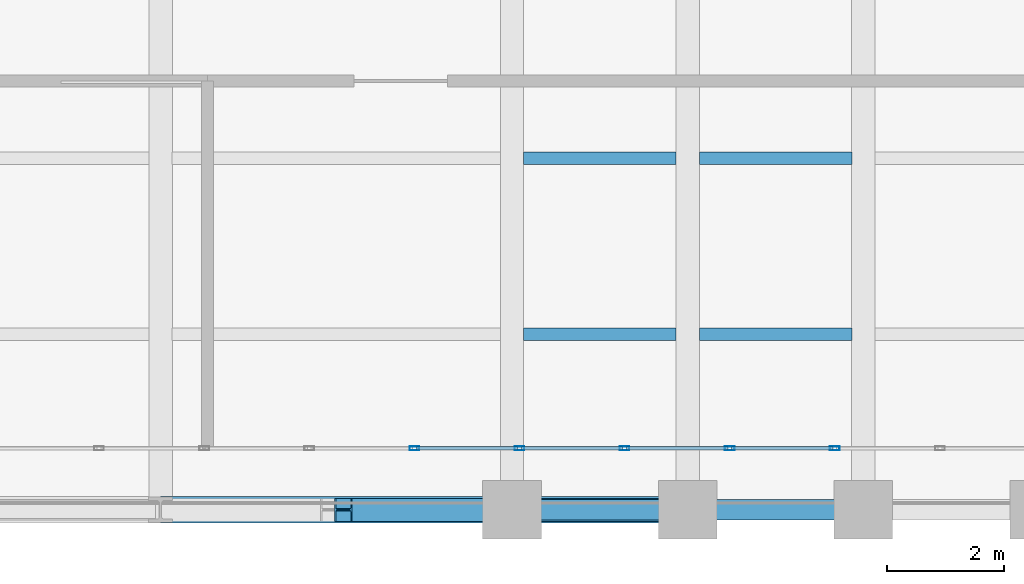
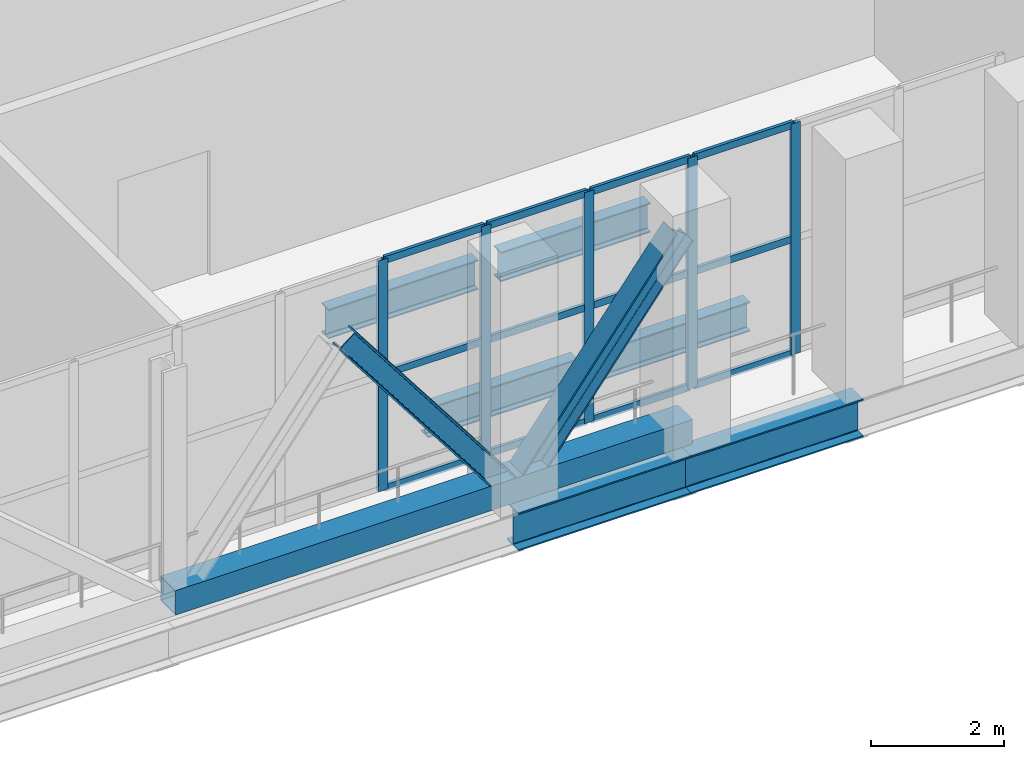
# One storey, part 13 of 27: 20 members, 6 beams, 1 element without a shape of its own.
"""IFC4 building model written with IfcOpenShell, lengths in metres."""

import ifcopenshell
import ifcopenshell.guid

model = None  # the IFC model being written
_history = None  # IfcOwnerHistory: only IFC2X3 demands one
_inside = {}  # id of a spatial element -> (the spatial element, [elements in it])
_under = {}  # id of a project, library or spatial element -> (it, [spatial elements below it])
_declared = {}  # id of a project -> (the project, [libraries it declares])
_typed = {}  # id of a type object -> (the type object, [elements of that type])
_made_of = {}  # id of a material, layer set ... -> (it, [elements and type objects made of it])


def new_model(schema):
    """Start an empty IFC model of exactly this schema.

    Asked for "IFC4X3", IfcOpenShell would pick the latest addendum, in which some entities
    have other attributes; the version numbers below select the first issue.
    IFC2X3 requires an IfcOwnerHistory on every rooted entity: one is made here for all.
    """
    global model, _history
    if schema == "IFC4X3":
        model = ifcopenshell.file(schema_version=(4, 3, 0, 0))
    else:
        model = ifcopenshell.file(schema=schema)
    _inside.clear()
    _under.clear()
    _declared.clear()
    _typed.clear()
    _made_of.clear()
    _history = None
    if model.schema == "IFC2X3":
        org = make("IfcOrganization", Name="unknown")
        user = make(
            "IfcPersonAndOrganization",
            ThePerson=make("IfcPerson", FamilyName="unknown"),
            TheOrganization=org,
        )
        app = make(
            "IfcApplication",
            ApplicationDeveloper=org,
            Version="unknown",
            ApplicationFullName="unknown",
            ApplicationIdentifier="unknown",
        )
        _history = make(
            "IfcOwnerHistory",
            OwningUser=user,
            OwningApplication=app,
            ChangeAction="ADDED",
            CreationDate=0,
        )
    return model


def make(cls, **values):
    """One entity of the class cls with the attributes given. An attribute that is None is left unset."""
    return model.create_entity(
        cls, **{name: value for name, value in values.items() if value is not None}
    )


def rooted(cls, **values):
    """An entity with a GlobalId (a new one), such as an element, a storey or a relation."""
    return make(cls, GlobalId=ifcopenshell.guid.new(), OwnerHistory=_history, **values)


def si_unit(unit_type, name, prefix=None):
    """IfcSIUnit, for example si_unit("LENGTHUNIT", "METRE", prefix="MILLI")."""
    return make("IfcSIUnit", UnitType=unit_type, Prefix=prefix, Name=name)


def assignment(units):
    """IfcUnitAssignment: the units of a project."""
    return None if units is None else make("IfcUnitAssignment", Units=units)


def point(xyz):
    """IfcCartesianPoint."""
    return None if xyz is None else make("IfcCartesianPoint", Coordinates=xyz)


def direction(xyz):
    """IfcDirection."""
    return None if xyz is None else make("IfcDirection", DirectionRatios=xyz)


def frame(location, z_axis=None, x_axis=None):
    """IfcAxis2Placement3D, a coordinate frame: its origin and axes. An axis left out is left unset."""
    return make(
        "IfcAxis2Placement3D",
        Location=point(location),
        Axis=direction(z_axis),
        RefDirection=direction(x_axis),
    )


def frame_2d(location, x_axis=None):
    """IfcAxis2Placement2D, a coordinate frame in the plane: its origin and x axis."""
    return make(
        "IfcAxis2Placement2D", Location=point(location), RefDirection=direction(x_axis)
    )


def origin():
    """The frame at (0, 0, 0) with its axes left unset."""
    return frame((0.0, 0.0, 0.0))


def origin_2d():
    """The frame at (0, 0) in the plane with its x axis left unset."""
    return frame_2d((0.0, 0.0))


def place(relative_to, where):
    """IfcLocalPlacement: puts the frame where relative to a parent placement (None: the world)."""
    return make(
        "IfcLocalPlacement", PlacementRelTo=relative_to, RelativePlacement=where
    )


def context(
    kind, dimensions, precision=None, world=None, true_north=None, identifier=None
):
    """IfcGeometricRepresentationContext, for example the 3D "Model" context."""
    return make(
        "IfcGeometricRepresentationContext",
        ContextIdentifier=identifier,
        ContextType=kind,
        CoordinateSpaceDimension=dimensions,
        Precision=precision,
        WorldCoordinateSystem=world,
        TrueNorth=true_north,
    )


def subcontext(parent, identifier, kind, view, scale=None):
    """IfcGeometricRepresentationSubContext, for example "Body" below "Model"."""
    return make(
        "IfcGeometricRepresentationSubContext",
        ContextIdentifier=identifier,
        ContextType=kind,
        ParentContext=parent,
        TargetScale=scale,
        TargetView=view,
    )


def project(units=None, contexts=None):
    """IfcProject with its units and contexts."""
    return rooted(
        "IfcProject",
        Name="project",
        RepresentationContexts=contexts,
        UnitsInContext=assignment(units),
    )


def spatial(cls, under=None, at=None, **own):
    """A site, building, storey or space (cls), placed at a placement, below another one or the project."""
    s = rooted(cls, ObjectPlacement=at, **own)
    if under is not None:
        _under.setdefault(under.id(), (under, []))[1].append(s)
    return s


def profile(cls, at=None, kind="AREA", **sizes):
    """A parametric profile (cls). Its sizes go by their IFC names, for example OverallWidth=200.0."""
    return make(cls, ProfileType=kind, Position=at, **sizes)


def hollow_rectangle(**sizes):
    """IfcRectangleHollowProfileDef."""
    return profile("IfcRectangleHollowProfileDef", **sizes)


def i_section(**sizes):
    """IfcIShapeProfileDef."""
    return profile("IfcIShapeProfileDef", **sizes)


def extrude(swept, where, along, depth):
    """IfcExtrudedAreaSolid: the profile swept, set in the frame where, extruded along a direction by depth."""
    return make(
        "IfcExtrudedAreaSolid",
        SweptArea=swept,
        Position=where,
        ExtrudedDirection=direction(along),
        Depth=depth,
    )


def shape(context_of_items, identifier, shape_type, items):
    """IfcShapeRepresentation: the items that make up one representation, for example the "Body"."""
    return make(
        "IfcShapeRepresentation",
        ContextOfItems=context_of_items,
        RepresentationIdentifier=identifier,
        RepresentationType=shape_type,
        Items=items,
    )


def material(Name=None, Category=None):
    """IfcMaterial."""
    return make("IfcMaterial", Name=Name, Category=Category)


def layer(
    of_material, thickness, ventilated=None, Name=None, Category=None, Priority=None
):
    """IfcMaterialLayer: one layer of a wall or slab, of a material (None: an air gap)."""
    return make(
        "IfcMaterialLayer",
        Material=of_material,
        LayerThickness=thickness,
        IsVentilated=ventilated,
        Name=Name,
        Category=Category,
        Priority=Priority,
    )


def layer_set(layers, Name=None):
    """IfcMaterialLayerSet."""
    return make("IfcMaterialLayerSet", MaterialLayers=layers, LayerSetName=Name)


def material_profile(
    of_material, cross_section, Name=None, Category=None, Priority=None
):
    """IfcMaterialProfile: a cross section and its material."""
    return make(
        "IfcMaterialProfile",
        Name=Name,
        Material=of_material,
        Profile=cross_section,
        Priority=Priority,
        Category=Category,
    )


def profile_set(profiles, Name=None, composite=None):
    """IfcMaterialProfileSet."""
    return make(
        "IfcMaterialProfileSet",
        Name=Name,
        MaterialProfiles=profiles,
        CompositeProfile=composite,
    )


def made_of(thing, what):
    """Note that an element or type object is made of a material, layer set ...; save() writes the relation."""
    if what is not None:
        _made_of.setdefault(what.id(), (what, []))[1].append(thing)
    return thing


def type_object(cls, material=None, **own):
    """A type object (cls), such as IfcWallType, which elements share."""
    return made_of(rooted(cls, **own), material)


def element(
    cls,
    number,
    at=None,
    inside=None,
    cuts=None,
    type_object=None,
    material=None,
    context=None,
    identifier="Body",
    shape_type=None,
    held_by="IfcProductDefinitionShape",
    body=None,
    shapes=None,
    **own,
):
    """One element of the class cls, such as IfcWall. Its Tag is "e" and its number.

    at: its placement. inside: the storey or other place that contains it. cuts: it is an
    opening in that element (IfcRelVoidsElement). A single representation is given by context,
    identifier, shape_type and body (its items); several are given by shapes. held_by: the class
    of the entity that holds the representations. save() writes the other relations.
    """
    e = rooted(cls, Tag="e%d" % number, ObjectPlacement=at, **own)
    if body is not None:
        shapes = [shape(context, identifier, shape_type, body)]
    if shapes is not None:
        e.Representation = make(held_by, Representations=shapes)
    if inside is not None:
        _inside.setdefault(inside.id(), (inside, []))[1].append(e)
    if cuts is not None:
        rooted(
            "IfcRelVoidsElement", RelatingBuildingElement=cuts, RelatedOpeningElement=e
        )
    if type_object is not None:
        _typed.setdefault(type_object.id(), (type_object, []))[1].append(e)
    return made_of(e, material)


def aggregate(whole, parts):
    """IfcRelAggregates: a whole, such as a stair, and the parts it consists of."""
    return rooted("IfcRelAggregates", RelatingObject=whole, RelatedObjects=parts)


def save(model, path):
    """Write the relations noted so far, then the file.

    IfcRelAggregates (storeys below a building ...), IfcRelContainedInSpatialStructure (elements
    in a storey), IfcRelDefinesByType, IfcRelAssociatesMaterial and IfcRelDeclares: one each for
    every whole, place, type object, material and project.
    """
    for whole, parts in _under.values():
        aggregate(whole, parts)
    for where, things in _inside.values():
        rooted(
            "IfcRelContainedInSpatialStructure",
            RelatedElements=things,
            RelatingStructure=where,
        )
    for kind, things in _typed.values():
        rooted("IfcRelDefinesByType", RelatedObjects=things, RelatingType=kind)
    for what, things in _made_of.values():
        rooted("IfcRelAssociatesMaterial", RelatedObjects=things, RelatingMaterial=what)
    for by, libraries in _declared.values():
        rooted("IfcRelDeclares", RelatingContext=by, RelatedDefinitions=libraries)
    model.write(path)


model = new_model("IFC4")

# Units and contexts
model_context = context("Model", 3, precision=1e-05, world=origin(), true_north=direction((0.0, 1.0)))
body_context = subcontext(model_context, "Body", "Model", "MODEL_VIEW")
ifc_project = project(units=[si_unit("LENGTHUNIT", "METRE"), si_unit("AREAUNIT", "SQUARE_METRE"), si_unit("VOLUMEUNIT", "CUBIC_METRE"), si_unit("PLANEANGLEUNIT", "RADIAN"), si_unit("MASSUNIT", "GRAM", prefix="KILO")], contexts=[model_context])

# Site, building, storey
site_placement = place(None, origin())
site = spatial("IfcSite", under=ifc_project, at=site_placement, CompositionType="ELEMENT")
building_placement = place(site_placement, origin())
building = spatial("IfcBuilding", under=site, at=building_placement, Name="Mawjdan Bourse Tower", CompositionType="ELEMENT")
storey_placement = place(building_placement, frame((0.0, 0.0, 155.699951171875)))
storey = spatial("IfcBuildingStorey", under=building, at=storey_placement, Name="L37", CompositionType="ELEMENT", Elevation=155.699951171875)

# Members
ifc_material_1 = material(Name="Structural Steel S460", Category="steel")
ifc_material_profile_1 = material_profile(ifc_material_1, i_section(OverallWidth=0.39404296875, OverallDepth=0.375, WebThickness=0.017333984375, FlangeThickness=0.027587890625, FilletRadius=0.022216796875, at=origin_2d()), Name="W14X145")
ifc_profile_set_1 = profile_set([ifc_material_profile_1], Name="Structural Steel S460")
member_type_1 = type_object("IfcMemberType", Name="BRC-W14X145", PredefinedType="BRACE", material=ifc_profile_set_1)
for number, where, z_axis, x_axis, name in (
    (1, (45.1201171875, 3.0, 3.800048828125), (0.60838860677, 0.0, -0.793639277728), (0.0, 1.0, 0.0), "L37 South Perimeter Belt Truss Diagonal 2"),
    (2, (48.1201171875, 3.0, 0.199951171875), (0.60838860677, 0.0, 0.793639277728), (0.0, 1.0, 0.0), "L37 South Perimeter Belt Truss Diagonal 3"),
):
    element("IfcMember", number, at=place(storey_placement, frame(where, z_axis=z_axis, x_axis=x_axis)), inside=storey, type_object=member_type_1, Name=name, PredefinedType="BRACE", context=body_context, shape_type="SweptSolid", body=[
        extrude(i_section(OverallWidth=0.39404296875, OverallDepth=0.375, WebThickness=0.017333984375, FlangeThickness=0.027587890625, FilletRadius=0.022216796875, at=origin_2d()), origin(), (0.0, 0.0, 1.0), 4.5361328125),
    ])
ifc_material_profile_2 = material_profile(ifc_material_1, hollow_rectangle(XDim=0.449951171875, YDim=0.449951171875, WallThickness=0.01611328125, at=origin_2d()), Name="HSS450X450X16")
ifc_profile_set_2 = profile_set([ifc_material_profile_2], Name="Structural Steel S460")
member_type_2 = type_object("IfcMemberType", Name="CHD-HSS450X450X16", PredefinedType="CHORD", material=ifc_profile_set_2)
member_1_placement = place(storey_placement, frame((42.0, 3.0, 0.199951171875), z_axis=(1.0, 0.0, 0.0), x_axis=(0.0, 1.0, 0.0)))
element("IfcMember", 3, at=member_1_placement, inside=storey, type_object=member_type_2, Name="L37 South Perimeter Belt Truss Bottom Chord", PredefinedType="CHORD", context=body_context, shape_type="SweptSolid", body=[
    extrude(hollow_rectangle(XDim=0.449951171875, YDim=0.449951171875, WallThickness=0.01611328125, at=origin_2d()), origin(), (0.0, 0.0, 1.0), 9.0),
])

# Beams
ifc_material_2 = material(Name="Structural Steel S355", Category="steel")
ifc_material_profile_3 = material_profile(ifc_material_2, i_section(OverallWidth=0.2119140625, OverallDepth=0.5439453125, WebThickness=0.01318359375, FlangeThickness=0.021240234375, FilletRadius=0.01708984375, at=origin_2d()), Name="W21X83")
ifc_profile_set_3 = profile_set([ifc_material_profile_3], Name="Structural Steel S355")
beam_type_1 = type_object("IfcBeamType", Name="JST-W21X83", PredefinedType="JOIST", material=ifc_profile_set_3)
for number, where, z_axis, x_axis, name in (
    (4, (48.197509765625, 6.0, -0.552001953125), (1.0, 0.0, 0.0), (0.0, 1.0, 0.0), "L37 East Wing Composite Joist 023"),
    (5, (51.197509765625, 6.0, -0.552001953125), (1.0, 0.0, 0.0), (0.0, 1.0, 0.0), "L37 East Wing Composite Joist 024"),
    (6, (48.197509765625, 9.0, -0.552001953125), (1.0, 0.0, 0.0), (0.0, 1.0, 0.0), "L37 East Wing Composite Joist 029"),
    (7, (51.197509765625, 9.0, -0.552001953125), (1.0, 0.0, 0.0), (0.0, 1.0, 0.0), "L37 East Wing Composite Joist 030"),
):
    element("IfcBeam", number, at=place(storey_placement, frame(where, z_axis=z_axis, x_axis=x_axis)), inside=storey, type_object=beam_type_1, Name=name, PredefinedType="JOIST", context=body_context, shape_type="SweptSolid", body=[
        extrude(i_section(OverallWidth=0.2119140625, OverallDepth=0.5439453125, WebThickness=0.01318359375, FlangeThickness=0.021240234375, FilletRadius=0.01708984375, at=origin_2d()), origin(), (0.0, 0.0, 1.0), 2.60498046875),
    ])

# Curtain wall, members
ifc_material_3 = material(Name="Thermally Broken Aluminium and Solar Glass", Category="aluminium")
ifc_layer = layer(ifc_material_3, 0.219970703125)
ifc_layer_set = layer_set([ifc_layer], Name="Thermally Broken Aluminium and Solar Glass")
curtain_wall_type = type_object("IfcCurtainWallType", Name="CW-RFG", PredefinedType="USERDEFINED", material=ifc_layer_set)
curtain_wall_placement = place(storey_placement, origin())
curtain_wall = element("IfcCurtainWall", 8, at=curtain_wall_placement, inside=storey, type_object=curtain_wall_type, Name="L37 Refuge Band South Louvre Curtain Wall", ObjectType="REFUGE BAND LOUVRE SCREEN", PredefinedType="USERDEFINED")
ifc_material_4 = material(Name="Thermally Broken Anodised Aluminium", Category="aluminium")
ifc_material_profile_4 = material_profile(ifc_material_4, hollow_rectangle(XDim=0.06494140625, YDim=0.1650390625, WallThickness=0.00390625, at=origin_2d()), Name="ALU-MUL-165X65")
ifc_profile_set_4 = profile_set([ifc_material_profile_4], Name="Thermally Broken Anodised Aluminium")
member_type_3 = type_object("IfcMemberType", Name="MUL-ALU-MUL-165X65", PredefinedType="MULLION", material=ifc_profile_set_4)
member_2_placement = place(storey_placement, frame((46.333251953125, 4.050048828125, 0.0), z_axis=(0.0, 0.0, 1.0), x_axis=(0.0, 1.0, 0.0)))
member_2 = element("IfcMember", 9, at=member_2_placement, type_object=member_type_3, Name="CW-RFG-L37-RFG-S mullion 13", PredefinedType="MULLION", context=body_context, shape_type="SweptSolid", body=[
    extrude(hollow_rectangle(XDim=0.06494140625, YDim=0.1650390625, WallThickness=0.00390625, at=origin_2d()), origin(), (0.0, 0.0, 1.0), 4.25),
])
member_3_placement = place(storey_placement, frame((48.127685546875, 4.050048828125, 0.0), z_axis=(0.0, 0.0, 1.0), x_axis=(0.0, 1.0, 0.0)))
member_3 = element("IfcMember", 10, at=member_3_placement, type_object=member_type_3, Name="CW-RFG-L37-RFG-S mullion 14", PredefinedType="MULLION", context=body_context, shape_type="SweptSolid", body=[
    extrude(hollow_rectangle(XDim=0.06494140625, YDim=0.1650390625, WallThickness=0.00390625, at=origin_2d()), origin(), (0.0, 0.0, 1.0), 4.25),
])
member_4_placement = place(storey_placement, frame((49.922119140625, 4.050048828125, 0.0), z_axis=(0.0, 0.0, 1.0), x_axis=(0.0, 1.0, 0.0)))
member_4 = element("IfcMember", 11, at=member_4_placement, type_object=member_type_3, Name="CW-RFG-L37-RFG-S mullion 15", PredefinedType="MULLION", context=body_context, shape_type="SweptSolid", body=[
    extrude(hollow_rectangle(XDim=0.06494140625, YDim=0.1650390625, WallThickness=0.00390625, at=origin_2d()), origin(), (0.0, 0.0, 1.0), 4.25),
])
member_5_placement = place(storey_placement, frame((51.716552734375, 4.050048828125, 0.0), z_axis=(0.0, 0.0, 1.0), x_axis=(0.0, 1.0, 0.0)))
member_5 = element("IfcMember", 12, at=member_5_placement, type_object=member_type_3, Name="CW-RFG-L37-RFG-S mullion 16", PredefinedType="MULLION", context=body_context, shape_type="SweptSolid", body=[
    extrude(hollow_rectangle(XDim=0.06494140625, YDim=0.1650390625, WallThickness=0.00390625, at=origin_2d()), origin(), (0.0, 0.0, 1.0), 4.25),
])
member_6_placement = place(storey_placement, frame((53.51123046875, 4.050048828125, 0.0), z_axis=(0.0, 0.0, 1.0), x_axis=(0.0, 1.0, 0.0)))
member_6 = element("IfcMember", 13, at=member_6_placement, type_object=member_type_3, Name="CW-RFG-L37-RFG-S mullion 17", PredefinedType="MULLION", context=body_context, shape_type="SweptSolid", body=[
    extrude(hollow_rectangle(XDim=0.06494140625, YDim=0.1650390625, WallThickness=0.00390625, at=origin_2d()), origin(), (0.0, 0.0, 1.0), 4.25),
])

# Beams
ifc_material_profile_5 = material_profile(ifc_material_2, i_section(OverallWidth=0.35498046875, OverallDepth=0.696044921875, WebThickness=0.015380859375, FlangeThickness=0.02490234375, FilletRadius=0.019775390625, at=origin_2d()), Name="W27X146")
ifc_profile_set_5 = profile_set([ifc_material_profile_5], Name="Structural Steel S355")
beam_type_2 = type_object("IfcBeamType", Name="SPN-W27X146", PredefinedType="SPANDREL", material=ifc_profile_set_5)
for number, where, z_axis, x_axis, name in (
    (14, (48.0, 3.0, -0.6279296875), (1.0, 0.0, 0.0), (0.0, 1.0, 0.0), "L37 Perimeter Masonry-Shelf Spandrel 011"),
    (15, (51.0, 3.0, -0.6279296875), (1.0, 0.0, 0.0), (0.0, 1.0, 0.0), "L37 Perimeter Masonry-Shelf Spandrel 012"),
):
    element("IfcBeam", number, at=place(storey_placement, frame(where, z_axis=z_axis, x_axis=x_axis)), inside=storey, type_object=beam_type_2, Name=name, PredefinedType="SPANDREL", context=body_context, shape_type="SweptSolid", body=[
        extrude(i_section(OverallWidth=0.35498046875, OverallDepth=0.696044921875, WebThickness=0.015380859375, FlangeThickness=0.02490234375, FilletRadius=0.019775390625, at=origin_2d()), origin(), (0.0, 0.0, 1.0), 3.0),
    ])

# Member
ifc_material_profile_6 = material_profile(ifc_material_4, hollow_rectangle(XDim=0.054931640625, YDim=0.1298828125, WallThickness=0.00341796875, at=origin_2d()), Name="ALU-TRN-130X55")
ifc_profile_set_6 = profile_set([ifc_material_profile_6], Name="Thermally Broken Anodised Aluminium")
member_type_4 = type_object("IfcMemberType", Name="TRN-ALU-TRN-130X55", PredefinedType="USERDEFINED", material=ifc_profile_set_6)
member_7_placement = place(storey_placement, frame((46.36572265625, 4.050048828125, 0.027587890625), z_axis=(1.0, 0.0, 0.0), x_axis=(0.0, 1.0, 0.0)))
member_7 = element("IfcMember", 16, at=member_7_placement, type_object=member_type_4, Name="CW-RFG-L37-RFG-S transom 13.1", ObjectType="TRANSOM", PredefinedType="USERDEFINED", context=body_context, shape_type="SweptSolid", body=[
    extrude(hollow_rectangle(XDim=0.054931640625, YDim=0.1298828125, WallThickness=0.00341796875, at=origin_2d()), origin(), (0.0, 0.0, 1.0), 1.7294921875),
])

member_8_placement = place(storey_placement, frame((46.36572265625, 4.050048828125, 2.125), z_axis=(1.0, 0.0, 0.0), x_axis=(0.0, 1.0, 0.0)))
member_8 = element("IfcMember", 17, at=member_8_placement, type_object=member_type_4, Name="CW-RFG-L37-RFG-S transom 13.2", ObjectType="TRANSOM", PredefinedType="USERDEFINED", context=body_context, shape_type="SweptSolid", body=[
    extrude(hollow_rectangle(XDim=0.054931640625, YDim=0.1298828125, WallThickness=0.00341796875, at=origin_2d()), origin(), (0.0, 0.0, 1.0), 1.7294921875),
])

member_9_placement = place(storey_placement, frame((46.36572265625, 4.050048828125, 4.22265625), z_axis=(1.0, 0.0, 0.0), x_axis=(0.0, 1.0, 0.0)))
member_9 = element("IfcMember", 18, at=member_9_placement, type_object=member_type_4, Name="CW-RFG-L37-RFG-S transom 13.3", ObjectType="TRANSOM", PredefinedType="USERDEFINED", context=body_context, shape_type="SweptSolid", body=[
    extrude(hollow_rectangle(XDim=0.054931640625, YDim=0.1298828125, WallThickness=0.00341796875, at=origin_2d()), origin(), (0.0, 0.0, 1.0), 1.7294921875),
])

member_10_placement = place(storey_placement, frame((48.16015625, 4.050048828125, 0.027587890625), z_axis=(1.0, 0.0, 0.0), x_axis=(0.0, 1.0, 0.0)))
member_10 = element("IfcMember", 19, at=member_10_placement, type_object=member_type_4, Name="CW-RFG-L37-RFG-S transom 14.1", ObjectType="TRANSOM", PredefinedType="USERDEFINED", context=body_context, shape_type="SweptSolid", body=[
    extrude(hollow_rectangle(XDim=0.054931640625, YDim=0.1298828125, WallThickness=0.00341796875, at=origin_2d()), origin(), (0.0, 0.0, 1.0), 1.7294921875),
])

member_11_placement = place(storey_placement, frame((48.16015625, 4.050048828125, 2.125), z_axis=(1.0, 0.0, 0.0), x_axis=(0.0, 1.0, 0.0)))
member_11 = element("IfcMember", 20, at=member_11_placement, type_object=member_type_4, Name="CW-RFG-L37-RFG-S transom 14.2", ObjectType="TRANSOM", PredefinedType="USERDEFINED", context=body_context, shape_type="SweptSolid", body=[
    extrude(hollow_rectangle(XDim=0.054931640625, YDim=0.1298828125, WallThickness=0.00341796875, at=origin_2d()), origin(), (0.0, 0.0, 1.0), 1.7294921875),
])

member_12_placement = place(storey_placement, frame((48.16015625, 4.050048828125, 4.22265625), z_axis=(1.0, 0.0, 0.0), x_axis=(0.0, 1.0, 0.0)))
member_12 = element("IfcMember", 21, at=member_12_placement, type_object=member_type_4, Name="CW-RFG-L37-RFG-S transom 14.3", ObjectType="TRANSOM", PredefinedType="USERDEFINED", context=body_context, shape_type="SweptSolid", body=[
    extrude(hollow_rectangle(XDim=0.054931640625, YDim=0.1298828125, WallThickness=0.00341796875, at=origin_2d()), origin(), (0.0, 0.0, 1.0), 1.7294921875),
])

member_13_placement = place(storey_placement, frame((49.954833984375, 4.050048828125, 0.027587890625), z_axis=(1.0, 0.0, 0.0), x_axis=(0.0, 1.0, 0.0)))
member_13 = element("IfcMember", 22, at=member_13_placement, type_object=member_type_4, Name="CW-RFG-L37-RFG-S transom 15.1", ObjectType="TRANSOM", PredefinedType="USERDEFINED", context=body_context, shape_type="SweptSolid", body=[
    extrude(hollow_rectangle(XDim=0.054931640625, YDim=0.1298828125, WallThickness=0.00341796875, at=origin_2d()), origin(), (0.0, 0.0, 1.0), 1.729248046875),
])

member_14_placement = place(storey_placement, frame((49.954833984375, 4.050048828125, 2.125), z_axis=(1.0, 0.0, 0.0), x_axis=(0.0, 1.0, 0.0)))
member_14 = element("IfcMember", 23, at=member_14_placement, type_object=member_type_4, Name="CW-RFG-L37-RFG-S transom 15.2", ObjectType="TRANSOM", PredefinedType="USERDEFINED", context=body_context, shape_type="SweptSolid", body=[
    extrude(hollow_rectangle(XDim=0.054931640625, YDim=0.1298828125, WallThickness=0.00341796875, at=origin_2d()), origin(), (0.0, 0.0, 1.0), 1.729248046875),
])

member_15_placement = place(storey_placement, frame((49.954833984375, 4.050048828125, 4.22265625), z_axis=(1.0, 0.0, 0.0), x_axis=(0.0, 1.0, 0.0)))
member_15 = element("IfcMember", 24, at=member_15_placement, type_object=member_type_4, Name="CW-RFG-L37-RFG-S transom 15.3", ObjectType="TRANSOM", PredefinedType="USERDEFINED", context=body_context, shape_type="SweptSolid", body=[
    extrude(hollow_rectangle(XDim=0.054931640625, YDim=0.1298828125, WallThickness=0.00341796875, at=origin_2d()), origin(), (0.0, 0.0, 1.0), 1.729248046875),
])

member_16_placement = place(storey_placement, frame((51.749267578125, 4.050048828125, 0.027587890625), z_axis=(1.0, 0.0, 0.0), x_axis=(0.0, 1.0, 0.0)))
member_16 = element("IfcMember", 25, at=member_16_placement, type_object=member_type_4, Name="CW-RFG-L37-RFG-S transom 16.1", ObjectType="TRANSOM", PredefinedType="USERDEFINED", context=body_context, shape_type="SweptSolid", body=[
    extrude(hollow_rectangle(XDim=0.054931640625, YDim=0.1298828125, WallThickness=0.00341796875, at=origin_2d()), origin(), (0.0, 0.0, 1.0), 1.729248046875),
])

member_17_placement = place(storey_placement, frame((51.749267578125, 4.050048828125, 2.125), z_axis=(1.0, 0.0, 0.0), x_axis=(0.0, 1.0, 0.0)))
member_17 = element("IfcMember", 26, at=member_17_placement, type_object=member_type_4, Name="CW-RFG-L37-RFG-S transom 16.2", ObjectType="TRANSOM", PredefinedType="USERDEFINED", context=body_context, shape_type="SweptSolid", body=[
    extrude(hollow_rectangle(XDim=0.054931640625, YDim=0.1298828125, WallThickness=0.00341796875, at=origin_2d()), origin(), (0.0, 0.0, 1.0), 1.729248046875),
])

member_18_placement = place(storey_placement, frame((51.749267578125, 4.050048828125, 4.22265625), z_axis=(1.0, 0.0, 0.0), x_axis=(0.0, 1.0, 0.0)))
member_18 = element("IfcMember", 27, at=member_18_placement, type_object=member_type_4, Name="CW-RFG-L37-RFG-S transom 16.3", ObjectType="TRANSOM", PredefinedType="USERDEFINED", context=body_context, shape_type="SweptSolid", body=[
    extrude(hollow_rectangle(XDim=0.054931640625, YDim=0.1298828125, WallThickness=0.00341796875, at=origin_2d()), origin(), (0.0, 0.0, 1.0), 1.729248046875),
])

aggregate(curtain_wall, [member_2, member_3, member_4, member_5, member_6, member_7, member_8, member_9, member_10, member_11, member_12, member_13, member_14, member_15, member_16, member_17, member_18])

save(model, "model.ifc")
